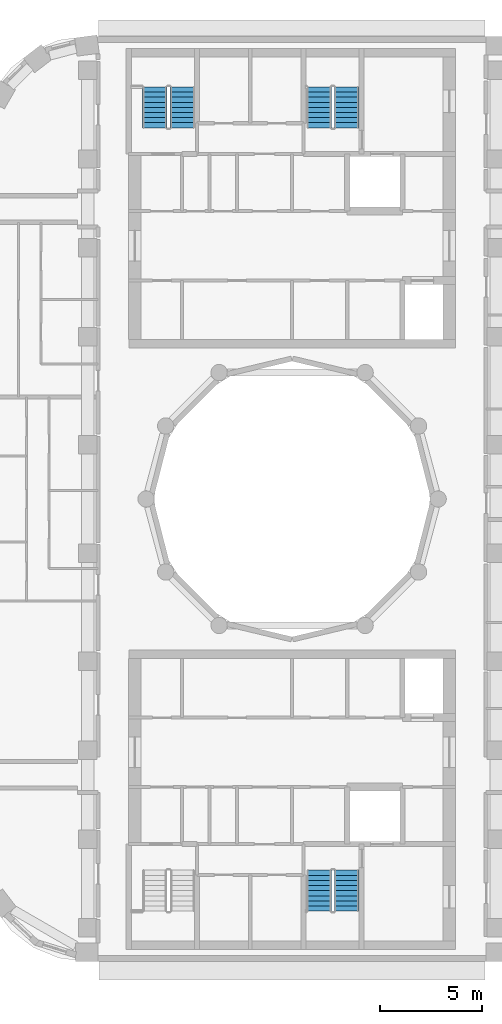
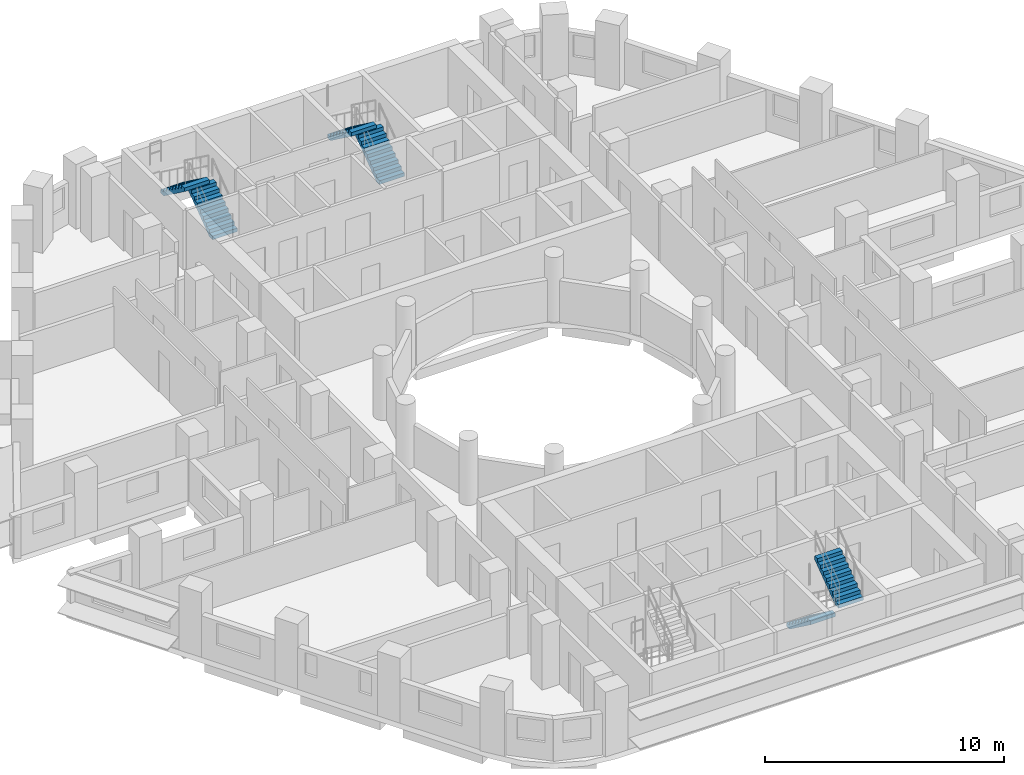
# One storey, part 9 of 13: 6 stair flights, 3 elements without a shape of their own.
"""IFC4 building model written with IfcOpenShell, lengths in metres."""

from ifc_helpers import new_model, si_unit, direction, frame, origin, place, context, subcontext, project, spatial, polyline, outline, extrude, material, type_object, element, aggregate, save


model = new_model("IFC4")

# Units and contexts
model_context = context("Model", 3, precision=1e-05, world=origin(), true_north=direction((0.0, 1.0)))
body_context = subcontext(model_context, "Body", "Model", "MODEL_VIEW")
ifc_project = project(units=[si_unit("LENGTHUNIT", "METRE"), si_unit("AREAUNIT", "SQUARE_METRE"), si_unit("VOLUMEUNIT", "CUBIC_METRE"), si_unit("PLANEANGLEUNIT", "RADIAN"), si_unit("MASSUNIT", "GRAM", prefix="KILO")], contexts=[model_context])

# Site, building, storey
site_placement = place(None, origin())
site = spatial("IfcSite", under=ifc_project, at=site_placement, CompositionType="ELEMENT")
building_placement = place(site_placement, origin())
building = spatial("IfcBuilding", under=site, at=building_placement, Name="Nakaniwa Court", CompositionType="ELEMENT")
storey_placement = place(building_placement, frame((0.0, 0.0, 269.10009765625)))
storey = spatial("IfcBuildingStorey", under=building, at=storey_placement, Name="L71", CompositionType="ELEMENT", Elevation=269.10009765625)

# Stair, stair flights
ifc_material = material(Name="Concrete C80/100", Category="concrete")
stair_type = type_object("IfcStairType", Name="Dog leg stair 1200 wide 18 risers", PredefinedType="HALF_TURN_STAIR", material=ifc_material)
stair_1_placement = place(storey_placement, origin())
stair_1 = element("IfcStair", 1, at=stair_1_placement, inside=storey, type_object=stair_type, Name="L71 Stair ST1", PredefinedType="HALF_TURN_STAIR")
stair_flight_type = type_object("IfcStairFlightType", Name="Stair flight 1200 wide 9 risers", PredefinedType="STRAIGHT", material=ifc_material)
stair_flight_1_placement = place(storey_placement, frame((74.625, 98.175048828125, 0.0), z_axis=(0.0, 0.0, 1.0), x_axis=(0.0, 1.0, 0.0)))
stair_flight_1 = element("IfcStairFlight", 2, at=stair_flight_1_placement, type_object=stair_flight_type, Name="ST1 flight 1", NumberOfRisers=9, NumberOfTreads=8, PredefinedType="STRAIGHT", RiserHeight=0.183333333, TreadLength=0.25, context=body_context, shape_type="SweptSolid", body=[
    extrude(outline(polyline([(0.0, 0.0), (0.0, 0.026123046875), (0.0, 0.052490234375), (0.0, 0.07861328125), (0.0, 0.104736328125), (0.0, 0.130859375), (0.0, 0.1572265625), (0.0, 0.183349609375), (0.25, 0.183349609375), (0.25, 0.36669921875), (0.5, 0.36669921875), (0.5, 0.550048828125), (0.75, 0.550048828125), (0.75, 0.7333984375), (1.0, 0.7333984375), (1.0, 0.916748046875), (1.25, 0.916748046875), (1.25, 1.10009765625), (1.5, 1.10009765625), (1.5, 1.283447265625), (1.75, 1.283447265625), (1.75, 1.466552734375), (2.0, 1.466552734375), (2.0, 1.64990234375), (2.0, 1.59716796875), (2.0, 1.54443359375), (2.0, 1.49169921875), (2.0, 1.43896484375), (2.0, 1.38623046875), (2.0, 1.33349609375), (2.0, 1.28076171875), (0.25341796875, 0.0), (0.0, 0.0)])), frame((0.0, 0.60009765625, 0.0), z_axis=(0.0, -1.0, 0.0), x_axis=(1.0, 0.0, 0.0)), (0.0, 0.0, 1.0), 1.199951171875),
])
stair_flight_2_placement = place(storey_placement, frame((73.27490234375, 100.175048828125, 1.64990234375), z_axis=(0.0, 0.0, 1.0), x_axis=(0.0, -1.0, 0.0)))
stair_flight_2 = element("IfcStairFlight", 3, at=stair_flight_2_placement, type_object=stair_flight_type, Name="ST1 flight 2", NumberOfRisers=9, NumberOfTreads=8, PredefinedType="STRAIGHT", RiserHeight=0.183333333, TreadLength=0.25, context=body_context, shape_type="SweptSolid", body=[
    extrude(outline(polyline([(0.0, 0.0), (0.0, 0.026123046875), (0.0, 0.052490234375), (0.0, 0.07861328125), (0.0, 0.104736328125), (0.0, 0.130859375), (0.0, 0.1572265625), (0.0, 0.183349609375), (0.25, 0.183349609375), (0.25, 0.36669921875), (0.5, 0.36669921875), (0.5, 0.550048828125), (0.75, 0.550048828125), (0.75, 0.7333984375), (1.0, 0.7333984375), (1.0, 0.916748046875), (1.25, 0.916748046875), (1.25, 1.10009765625), (1.5, 1.10009765625), (1.5, 1.283447265625), (1.75, 1.283447265625), (1.75, 1.466552734375), (2.0, 1.466552734375), (2.0, 1.64990234375), (2.0, 1.59716796875), (2.0, 1.54443359375), (2.0, 1.49169921875), (2.0, 1.43896484375), (2.0, 1.38623046875), (2.0, 1.33349609375), (2.0, 1.28076171875), (0.25341796875, 0.0), (0.0, 0.0)])), frame((0.0, 0.60009765625, 0.0), z_axis=(0.0, -1.0, 0.0), x_axis=(1.0, 0.0, 0.0)), (0.0, 0.0, 1.0), 1.199951171875),
])
aggregate(stair_1, [stair_flight_1, stair_flight_2])

stair_2_placement = place(storey_placement, origin())
stair_2 = element("IfcStair", 4, at=stair_2_placement, inside=storey, type_object=stair_type, Name="L71 Stair ST2", PredefinedType="HALF_TURN_STAIR")
stair_flight_3_placement = place(storey_placement, frame((82.675048828125, 98.175048828125, 0.0), z_axis=(0.0, 0.0, 1.0), x_axis=(0.0, 1.0, 0.0)))
stair_flight_3 = element("IfcStairFlight", 5, at=stair_flight_3_placement, type_object=stair_flight_type, Name="ST2 flight 1", NumberOfRisers=9, NumberOfTreads=8, PredefinedType="STRAIGHT", RiserHeight=0.183333333, TreadLength=0.25, context=body_context, shape_type="SweptSolid", body=[
    extrude(outline(polyline([(0.0, 0.0), (0.0, 0.026123046875), (0.0, 0.052490234375), (0.0, 0.07861328125), (0.0, 0.104736328125), (0.0, 0.130859375), (0.0, 0.1572265625), (0.0, 0.183349609375), (0.25, 0.183349609375), (0.25, 0.36669921875), (0.5, 0.36669921875), (0.5, 0.550048828125), (0.75, 0.550048828125), (0.75, 0.7333984375), (1.0, 0.7333984375), (1.0, 0.916748046875), (1.25, 0.916748046875), (1.25, 1.10009765625), (1.5, 1.10009765625), (1.5, 1.283447265625), (1.75, 1.283447265625), (1.75, 1.466552734375), (2.0, 1.466552734375), (2.0, 1.64990234375), (2.0, 1.59716796875), (2.0, 1.54443359375), (2.0, 1.49169921875), (2.0, 1.43896484375), (2.0, 1.38623046875), (2.0, 1.33349609375), (2.0, 1.28076171875), (0.25341796875, 0.0), (0.0, 0.0)])), frame((0.0, 0.60009765625, 0.0), z_axis=(0.0, -1.0, 0.0), x_axis=(1.0, 0.0, 0.0)), (0.0, 0.0, 1.0), 1.199951171875),
])
stair_flight_4_placement = place(storey_placement, frame((81.324951171875, 100.175048828125, 1.64990234375), z_axis=(0.0, 0.0, 1.0), x_axis=(0.0, -1.0, 0.0)))
stair_flight_4 = element("IfcStairFlight", 6, at=stair_flight_4_placement, type_object=stair_flight_type, Name="ST2 flight 2", NumberOfRisers=9, NumberOfTreads=8, PredefinedType="STRAIGHT", RiserHeight=0.183333333, TreadLength=0.25, context=body_context, shape_type="SweptSolid", body=[
    extrude(outline(polyline([(0.0, 0.0), (0.0, 0.026123046875), (0.0, 0.052490234375), (0.0, 0.07861328125), (0.0, 0.104736328125), (0.0, 0.130859375), (0.0, 0.1572265625), (0.0, 0.183349609375), (0.25, 0.183349609375), (0.25, 0.36669921875), (0.5, 0.36669921875), (0.5, 0.550048828125), (0.75, 0.550048828125), (0.75, 0.7333984375), (1.0, 0.7333984375), (1.0, 0.916748046875), (1.25, 0.916748046875), (1.25, 1.10009765625), (1.5, 1.10009765625), (1.5, 1.283447265625), (1.75, 1.283447265625), (1.75, 1.466552734375), (2.0, 1.466552734375), (2.0, 1.64990234375), (2.0, 1.59716796875), (2.0, 1.54443359375), (2.0, 1.49169921875), (2.0, 1.43896484375), (2.0, 1.38623046875), (2.0, 1.33349609375), (2.0, 1.28076171875), (0.25341796875, 0.0), (0.0, 0.0)])), frame((0.0, 0.60009765625, 0.0), z_axis=(0.0, -1.0, 0.0), x_axis=(1.0, 0.0, 0.0)), (0.0, 0.0, 1.0), 1.199951171875),
])
aggregate(stair_2, [stair_flight_3, stair_flight_4])

stair_3_placement = place(storey_placement, origin())
stair_3 = element("IfcStair", 7, at=stair_3_placement, inside=storey, type_object=stair_type, Name="L71 Stair ST4", PredefinedType="HALF_TURN_STAIR")
stair_flight_5_placement = place(storey_placement, frame((81.324951171875, 61.824951171875, 0.0), z_axis=(0.0, 0.0, 1.0), x_axis=(0.0, -1.0, 0.0)))
stair_flight_5 = element("IfcStairFlight", 8, at=stair_flight_5_placement, type_object=stair_flight_type, Name="ST4 flight 1", NumberOfRisers=9, NumberOfTreads=8, PredefinedType="STRAIGHT", RiserHeight=0.183333333, TreadLength=0.25, context=body_context, shape_type="SweptSolid", body=[
    extrude(outline(polyline([(0.0, 0.0), (0.0, 0.026123046875), (0.0, 0.052490234375), (0.0, 0.07861328125), (0.0, 0.104736328125), (0.0, 0.130859375), (0.0, 0.1572265625), (0.0, 0.183349609375), (0.25, 0.183349609375), (0.25, 0.36669921875), (0.5, 0.36669921875), (0.5, 0.550048828125), (0.75, 0.550048828125), (0.75, 0.7333984375), (1.0, 0.7333984375), (1.0, 0.916748046875), (1.25, 0.916748046875), (1.25, 1.10009765625), (1.5, 1.10009765625), (1.5, 1.283447265625), (1.75, 1.283447265625), (1.75, 1.466552734375), (2.0, 1.466552734375), (2.0, 1.64990234375), (2.0, 1.59716796875), (2.0, 1.54443359375), (2.0, 1.49169921875), (2.0, 1.43896484375), (2.0, 1.38623046875), (2.0, 1.33349609375), (2.0, 1.28076171875), (0.25341796875, 0.0), (0.0, 0.0)])), frame((0.0, 0.60009765625, 0.0), z_axis=(0.0, -1.0, 0.0), x_axis=(1.0, 0.0, 0.0)), (0.0, 0.0, 1.0), 1.199951171875),
])
stair_flight_6_placement = place(storey_placement, frame((82.675048828125, 59.824951171875, 1.64990234375), z_axis=(0.0, 0.0, 1.0), x_axis=(0.0, 1.0, 0.0)))
stair_flight_6 = element("IfcStairFlight", 9, at=stair_flight_6_placement, type_object=stair_flight_type, Name="ST4 flight 2", NumberOfRisers=9, NumberOfTreads=8, PredefinedType="STRAIGHT", RiserHeight=0.183333333, TreadLength=0.25, context=body_context, shape_type="SweptSolid", body=[
    extrude(outline(polyline([(0.0, 0.0), (0.0, 0.026123046875), (0.0, 0.052490234375), (0.0, 0.07861328125), (0.0, 0.104736328125), (0.0, 0.130859375), (0.0, 0.1572265625), (0.0, 0.183349609375), (0.25, 0.183349609375), (0.25, 0.36669921875), (0.5, 0.36669921875), (0.5, 0.550048828125), (0.75, 0.550048828125), (0.75, 0.7333984375), (1.0, 0.7333984375), (1.0, 0.916748046875), (1.25, 0.916748046875), (1.25, 1.10009765625), (1.5, 1.10009765625), (1.5, 1.283447265625), (1.75, 1.283447265625), (1.75, 1.466552734375), (2.0, 1.466552734375), (2.0, 1.64990234375), (2.0, 1.59716796875), (2.0, 1.54443359375), (2.0, 1.49169921875), (2.0, 1.43896484375), (2.0, 1.38623046875), (2.0, 1.33349609375), (2.0, 1.28076171875), (0.25341796875, 0.0), (0.0, 0.0)])), frame((0.0, 0.60009765625, 0.0), z_axis=(0.0, -1.0, 0.0), x_axis=(1.0, 0.0, 0.0)), (0.0, 0.0, 1.0), 1.199951171875),
])
aggregate(stair_3, [stair_flight_5, stair_flight_6])

save(model, "model.ifc")
